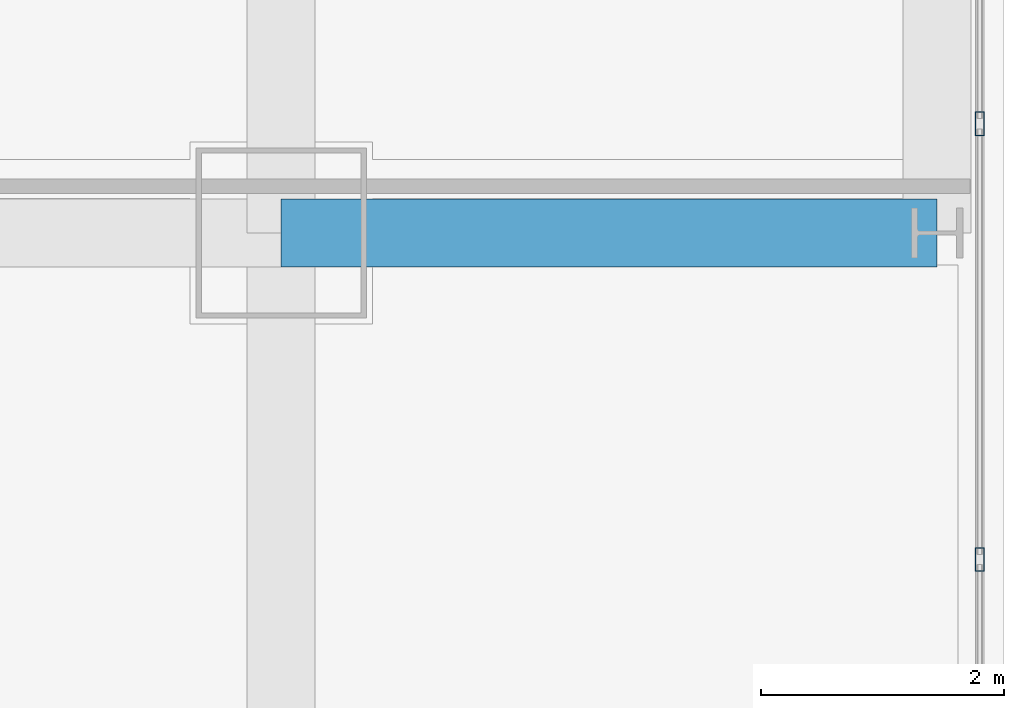
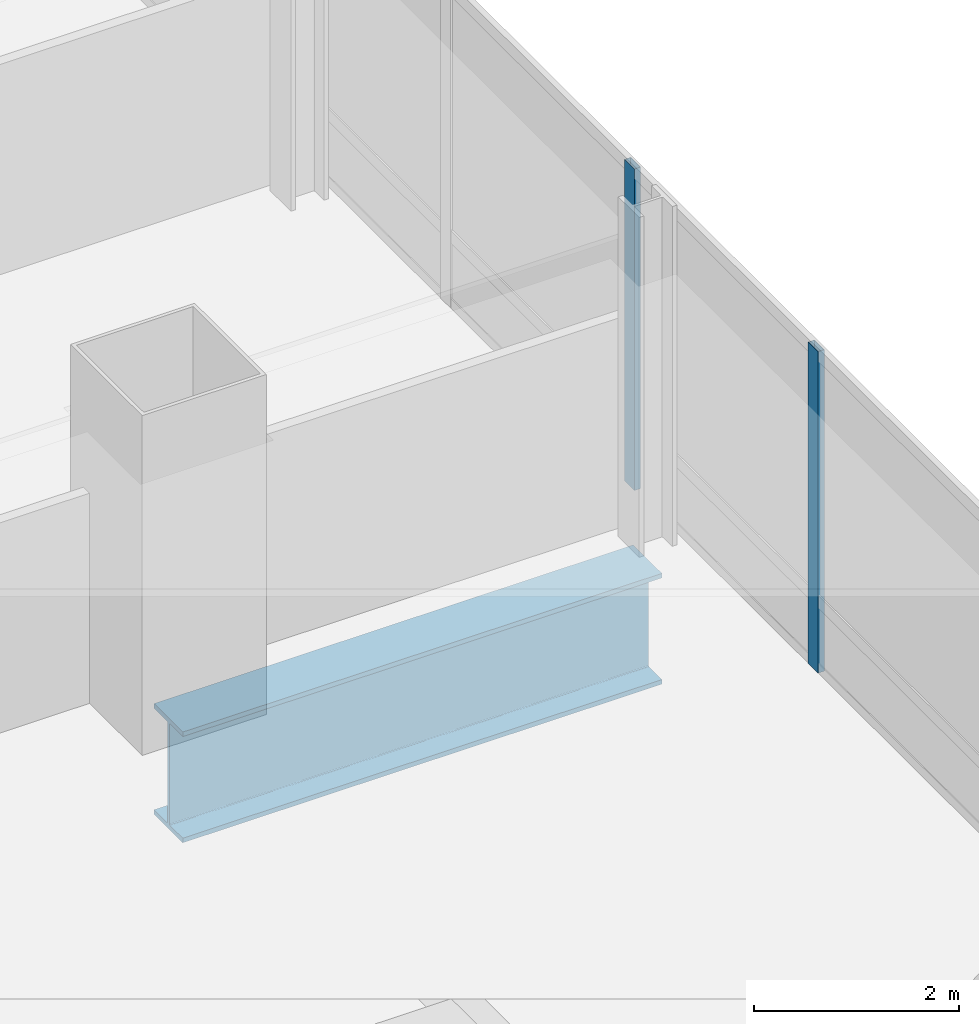
# One storey, part 16 of 41: 2 members, 1 beam, 1 element without a shape of its own.
"""IFC4 building model written with IfcOpenShell, lengths in metres."""

from ifc_helpers import new_model, si_unit, direction, frame, origin, origin_2d, place, context, subcontext, project, spatial, hollow_rectangle, i_section, extrude, material, material_profile, profile_set, type_object, element, aggregate, save


model = new_model("IFC4")

# Units and contexts
model_context = context("Model", 3, precision=1e-05, world=origin(), true_north=direction((0.0, 1.0)))
body_context = subcontext(model_context, "Body", "Model", "MODEL_VIEW")
ifc_project = project(units=[si_unit("LENGTHUNIT", "METRE"), si_unit("AREAUNIT", "SQUARE_METRE"), si_unit("VOLUMEUNIT", "CUBIC_METRE"), si_unit("PLANEANGLEUNIT", "RADIAN"), si_unit("MASSUNIT", "GRAM", prefix="KILO")], contexts=[model_context])

# Site, building, storey
site_placement = place(None, origin())
site = spatial("IfcSite", under=ifc_project, at=site_placement, CompositionType="ELEMENT")
building_placement = place(site_placement, origin())
building = spatial("IfcBuilding", under=site, at=building_placement, Name="Punatoya Terracotta Tower", CompositionType="ELEMENT")
storey_placement = place(building_placement, frame((0.0, 0.0, 220.800048828125)))
storey = spatial("IfcBuildingStorey", under=building, at=storey_placement, Name="L52", CompositionType="ELEMENT", Elevation=220.800048828125)

# Beam
ifc_material_1 = material(Name="Steel S460", Category="steel")
ifc_material_profile_1 = material_profile(ifc_material_1, i_section(OverallWidth=0.56005859375, OverallDepth=1.320068359375, WebThickness=0.035888671875, FlangeThickness=0.054931640625, FilletRadius=0.01806640625, at=origin_2d()))
ifc_profile_set_1 = profile_set([ifc_material_profile_1], Name="Steel S460")
beam_type = type_object("IfcBeamType", Name="BM-TG-BLK", PredefinedType="BEAM", material=ifc_profile_set_1)
beam_placement = place(storey_placement, frame((19.10009765625, -3.39990234375, -0.880126953125), z_axis=(1.0, 0.0, 0.0), x_axis=(0.0, 1.0, 0.0)))
element("IfcBeam", 1, at=beam_placement, inside=storey, type_object=beam_type, Name="BM-L52-CANT-E2", PredefinedType="BEAM", context=body_context, shape_type="SweptSolid", body=[
    extrude(i_section(OverallWidth=0.56005859375, OverallDepth=1.320068359375, WebThickness=0.035888671875, FlangeThickness=0.054931640625, FilletRadius=0.01806640625, at=origin_2d()), origin(), (0.0, 0.0, 1.0), 5.39990234375),
])

# Curtain wall, members
ifc_material_2 = material(Name="Aluminium 6063-T6 + Double Low-E Glass", Category="aluminium")
curtain_wall_type = type_object("IfcCurtainWallType", Name="CW-M2", PredefinedType="NOTDEFINED", material=ifc_material_2)
curtain_wall_placement = place(storey_placement, origin())
curtain_wall = element("IfcCurtainWall", 2, at=curtain_wall_placement, inside=storey, type_object=curtain_wall_type, Name="L52 Curtain Wall CW-L52-E04-1", PredefinedType="NOTDEFINED")
ifc_material_3 = material(Name="Aluminium 6063-T6", Category="aluminium")
ifc_material_profile_2 = material_profile(ifc_material_3, hollow_rectangle(XDim=0.072021484375, YDim=0.195068359375, WallThickness=0.00439453125, at=origin_2d()))
ifc_profile_set_2 = profile_set([ifc_material_profile_2], Name="Aluminium 6063-T6")
member_type = type_object("IfcMemberType", Name="CW-MUL-M2", PredefinedType="MULLION", material=ifc_profile_set_2)
member_1_placement = place(storey_placement, frame((24.85009765625, -6.087646484375, 0.0), z_axis=(0.0, 0.0, 1.0), x_axis=(1.0, 0.0, 0.0)))
member_1 = element("IfcMember", 3, at=member_1_placement, type_object=member_type, Name="CW-L52-E04-1 Mullion 03", PredefinedType="MULLION", context=body_context, shape_type="SweptSolid", body=[
    extrude(hollow_rectangle(XDim=0.072021484375, YDim=0.195068359375, WallThickness=0.00439453125, at=origin_2d()), origin(), (0.0, 0.0, 1.0), 3.829833984375),
])
member_2_placement = place(storey_placement, frame((24.85009765625, -2.500244140625, 0.0), z_axis=(0.0, 0.0, 1.0), x_axis=(1.0, 0.0, 0.0)))
member_2 = element("IfcMember", 4, at=member_2_placement, type_object=member_type, Name="CW-L52-E04-1 Mullion 04", PredefinedType="MULLION", context=body_context, shape_type="SweptSolid", body=[
    extrude(hollow_rectangle(XDim=0.072021484375, YDim=0.195068359375, WallThickness=0.00439453125, at=origin_2d()), origin(), (0.0, 0.0, 1.0), 3.829833984375),
])
aggregate(curtain_wall, [member_1, member_2])

save(model, "model.ifc")
